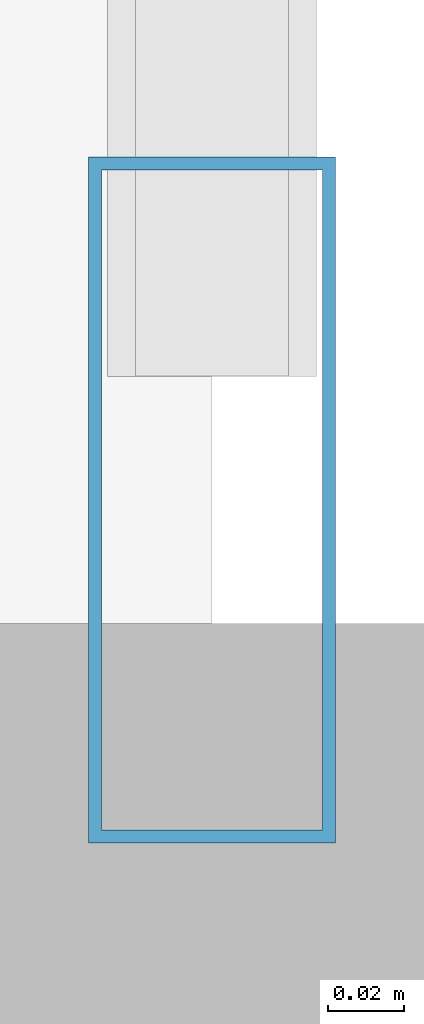
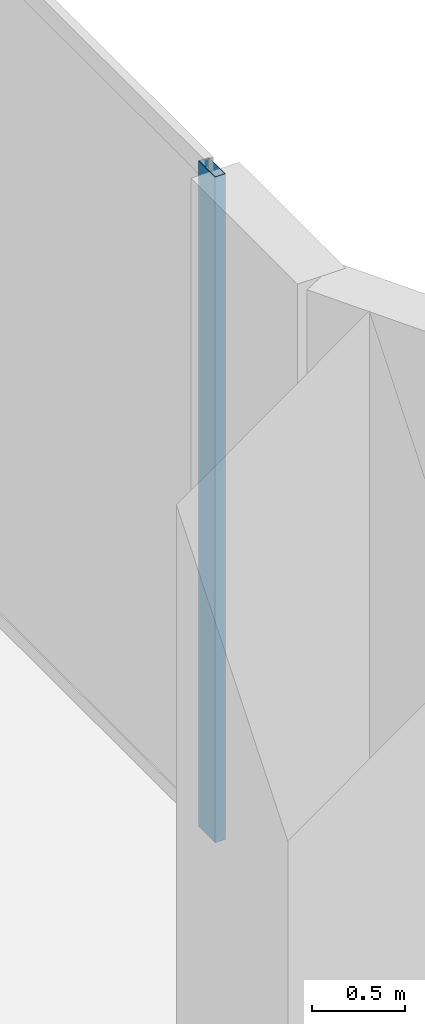
# One storey, part 14 of 31: 1 member, 1 element without a shape of its own.
"""IFC4 building model written with IfcOpenShell, lengths in metres."""

from ifc_helpers import new_model, si_unit, direction, frame, origin, origin_2d, place, context, subcontext, project, spatial, hollow_rectangle, extrude, material, layer, layer_set, material_profile, profile_set, type_object, element, aggregate, save


model = new_model("IFC4")

# Units and contexts
model_context = context("Model", 3, precision=1e-05, world=origin(), true_north=direction((0.0, 1.0)))
body_context = subcontext(model_context, "Body", "Model", "MODEL_VIEW")
ifc_project = project(units=[si_unit("LENGTHUNIT", "METRE"), si_unit("AREAUNIT", "SQUARE_METRE"), si_unit("VOLUMEUNIT", "CUBIC_METRE"), si_unit("PLANEANGLEUNIT", "RADIAN"), si_unit("MASSUNIT", "GRAM", prefix="KILO")], contexts=[model_context])

# Site, building, storey
site_placement = place(None, origin())
site = spatial("IfcSite", under=ifc_project, at=site_placement, CompositionType="ELEMENT")
building_placement = place(site_placement, origin())
building = spatial("IfcBuilding", under=site, at=building_placement, Name="Zuhayl Quay Hotel", CompositionType="ELEMENT")
storey_placement = place(building_placement, frame((0.0, 0.0, 172.800048828125)))
storey = spatial("IfcBuildingStorey", under=building, at=storey_placement, Name="L43", CompositionType="ELEMENT", Elevation=172.800048828125)

# Curtain wall, member
ifc_material_1 = material(Name="Anodised Aluminium 6063-T6", Category="aluminium")
ifc_layer = layer(ifc_material_1, 0.175048828125, Name="Anodised Aluminium 6063-T6", Category="aluminium")
ifc_layer_set = layer_set([ifc_layer], Name="Anodised Aluminium 6063-T6")
curtain_wall_type = type_object("IfcCurtainWallType", Name="CW_SYS_Z3", PredefinedType="USERDEFINED", material=ifc_layer_set)
curtain_wall_placement = place(storey_placement, origin())
curtain_wall = element("IfcCurtainWall", 1, at=curtain_wall_placement, inside=storey, type_object=curtain_wall_type, Name="L43 Curtain Wall ENV_L43_E11_CW1", ObjectType="UNITISED CURTAIN WALL", PredefinedType="USERDEFINED")
ifc_material_2 = material(Name="Black-anodised aluminium 6063-T6", Category="aluminium")
ifc_material_profile = material_profile(ifc_material_2, hollow_rectangle(XDim=0.06494140625, YDim=0.179931640625, WallThickness=0.00341796875, at=origin_2d()), Name="ALU180X65")
ifc_profile_set = profile_set([ifc_material_profile], Name="Black-anodised aluminium 6063-T6")
member_type = type_object("IfcMemberType", Name="MB_CW_MUL_180", PredefinedType="MULLION", material=ifc_profile_set)
member_placement = place(storey_placement, frame((22.10009765625, 18.982421875, 0.0), z_axis=(0.0, 0.0, 1.0), x_axis=(1.0, 0.0, 0.0)))
member = element("IfcMember", 2, at=member_placement, type_object=member_type, Name="CW-Z3 mullion 2", PredefinedType="MULLION", context=body_context, shape_type="SweptSolid", body=[
    extrude(hollow_rectangle(XDim=0.06494140625, YDim=0.179931640625, WallThickness=0.00341796875, at=origin_2d()), origin(), (0.0, 0.0, 1.0), 4.3798828125),
])
aggregate(curtain_wall, [member])

save(model, "model.ifc")
